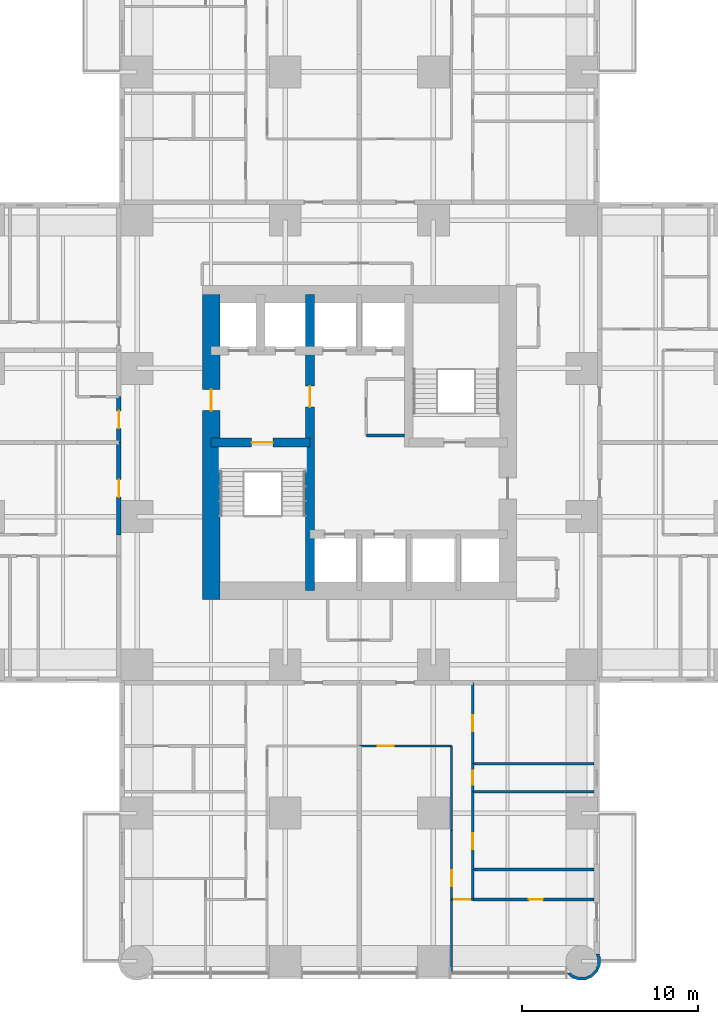
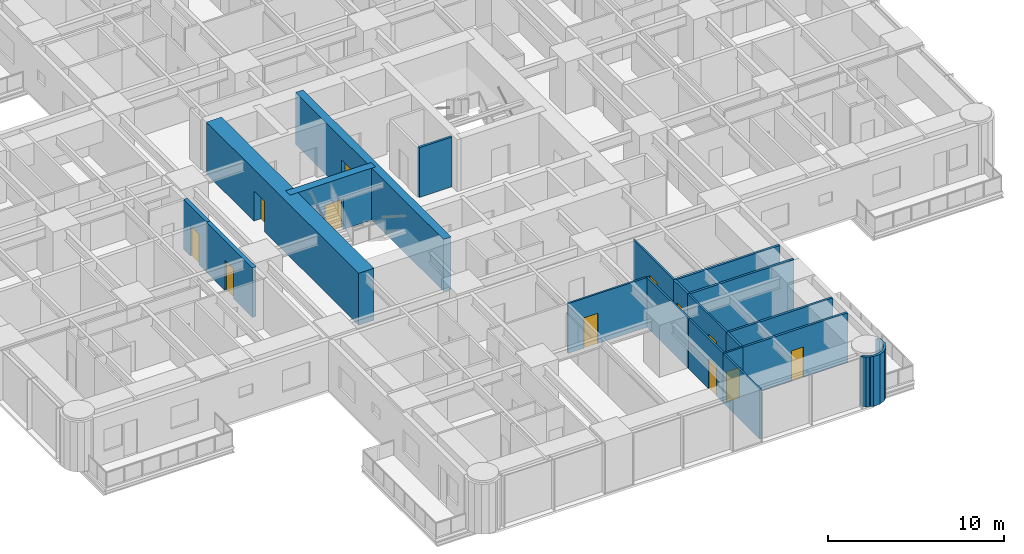
# One storey, part 9 of 17: 20 walls, 12 doors, 12 openings.
"""IFC4 building model written with IfcOpenShell, lengths in metres."""

from ifc_helpers import new_model, si_unit, direction, frame, frame_2d, origin, place, context, subcontext, project, spatial, polyline, rectangle, outline, extrude, material, layer, layer_set, type_object, element, fill, save


model = new_model("IFC4")

# Units and contexts
model_context = context("Model", 3, precision=1e-05, world=origin(), true_north=direction((0.0, 1.0)))
body_context = subcontext(model_context, "Body", "Model", "MODEL_VIEW")
ifc_project = project(units=[si_unit("LENGTHUNIT", "METRE"), si_unit("AREAUNIT", "SQUARE_METRE"), si_unit("VOLUMEUNIT", "CUBIC_METRE"), si_unit("PLANEANGLEUNIT", "RADIAN"), si_unit("MASSUNIT", "GRAM", prefix="KILO")], contexts=[model_context])

# Site, building, storey
site_placement = place(None, origin())
site = spatial("IfcSite", under=ifc_project, at=site_placement, CompositionType="ELEMENT")
building_placement = place(site_placement, origin())
building = spatial("IfcBuilding", under=site, at=building_placement, Name="Torre Alcanfor", CompositionType="ELEMENT")
storey_placement = place(building_placement, frame((0.0, 0.0, 41.699951171875)))
storey = spatial("IfcBuildingStorey", under=building, at=storey_placement, Name="L09", CompositionType="ELEMENT", Elevation=41.699951171875)

# Wall, opening, door
ifc_material_1 = material(Name="Concrete block masonry, hollow blocks NMX-C-404 9 MPa", Category="masonry")
ifc_layer_1 = layer(ifc_material_1, 0.25)
ifc_layer_set_1 = layer_set([ifc_layer_1], Name="Apartment entrance wall 250 EI 60")
wall_type_1 = type_object("IfcWallType", Name="Apartment entrance wall 250 EI 60", PredefinedType="PARTITIONING", material=ifc_layer_set_1)
wall_1_placement = place(storey_placement, frame((15.77490234375, 24.1708984375, 0.0), z_axis=(0.0, 0.0, 1.0), x_axis=(0.0, 1.0, 0.0)))
wall_1 = element("IfcWall", 1, at=wall_1_placement, inside=storey, type_object=wall_type_1, Name="Partition L09-CORR / L09-W1-ZAG", PredefinedType="PARTITIONING", context=body_context, shape_type="SweptSolid", body=[
    extrude(rectangle(XDim=5.22900390625, YDim=0.25, at=frame_2d((2.614501953125, 0.0))), origin(), (0.0, 0.0, 1.0), 3.449951171875),
])
opening_1_placement = place(wall_1_placement, frame((2.12890625, 0.0, 0.0)))
opening_1 = element("IfcOpeningElement", 2, at=opening_1_placement, cuts=wall_1, Name="Opening D-A1", PredefinedType="OPENING", context=body_context, shape_type="SweptSolid", body=[
    extrude(rectangle(XDim=1.0, YDim=2.10009765625, at=frame_2d((0.5, 1.050048828125))), frame((0.0, 0.135009765625, 0.0), z_axis=(0.0, -1.0, 0.0), x_axis=(1.0, 0.0, 0.0)), (0.0, 0.0, 1.0), 0.27001953125),
])
ifc_material_2 = material(Name="Galvanised steel sheet ASTM A653", Category="steel")
door_type_1 = type_object("IfcDoorType", Name="Apartment entrance door FD60 1000x2100", OperationType="SINGLE_SWING_LEFT", PredefinedType="DOOR", material=ifc_material_2)
door_1_placement = place(opening_1_placement, origin())
door_1 = element("IfcDoor", 3, at=door_1_placement, inside=storey, type_object=door_type_1, Name="Apartment entrance L09-W1", OperationType="SINGLE_SWING_RIGHT", OverallHeight=2.10009765625, OverallWidth=1.0, PredefinedType="DOOR", context=body_context, shape_type="SweptSolid", body=[
    extrude(rectangle(XDim=1.0, YDim=2.10009765625, at=frame_2d((0.5, 1.050048828125))), frame((0.0, 0.02490234375, 0.0), z_axis=(0.0, -1.0, 0.0), x_axis=(1.0, 0.0, 0.0)), (0.0, 0.0, 1.0), 0.050048828125),
])
fill(opening_1, door_1)

wall_2_placement = place(storey_placement, frame((15.77490234375, 29.39990234375, 0.0), z_axis=(0.0, 0.0, 1.0), x_axis=(0.0, 1.0, 0.0)))
wall_2 = element("IfcWall", 4, at=wall_2_placement, inside=storey, type_object=wall_type_1, Name="Partition L09-CORR / L09-W2A-FOYER", PredefinedType="PARTITIONING", context=body_context, shape_type="SweptSolid", body=[
    extrude(rectangle(XDim=2.60009765625, YDim=0.25, at=frame_2d((1.300048828125, 0.0))), origin(), (0.0, 0.0, 1.0), 3.449951171875),
])
opening_2_placement = place(wall_2_placement, frame((0.800048828125, 0.0, 0.0)))
opening_2 = element("IfcOpeningElement", 5, at=opening_2_placement, cuts=wall_2, Name="Opening D-A1", PredefinedType="OPENING", context=body_context, shape_type="SweptSolid", body=[
    extrude(rectangle(XDim=1.0, YDim=2.10009765625, at=frame_2d((0.5, 1.050048828125))), frame((0.0, 0.135009765625, 0.0), z_axis=(0.0, -1.0, 0.0), x_axis=(1.0, 0.0, 0.0)), (0.0, 0.0, 1.0), 0.27001953125),
])
door_2_placement = place(opening_2_placement, origin())
door_2 = element("IfcDoor", 6, at=door_2_placement, inside=storey, type_object=door_type_1, Name="Apartment entrance L09-W2A", OperationType="SINGLE_SWING_LEFT", OverallHeight=2.10009765625, OverallWidth=1.0, PredefinedType="DOOR", context=body_context, shape_type="SweptSolid", body=[
    extrude(rectangle(XDim=1.0, YDim=2.10009765625, at=frame_2d((0.5, 1.050048828125))), frame((0.0, 0.02490234375, 0.0), z_axis=(0.0, -1.0, 0.0), x_axis=(1.0, 0.0, 0.0)), (0.0, 0.0, 1.0), 0.050048828125),
])
fill(opening_2, door_2)

ifc_material_3 = material(Name="Gypsum board on steel studs", Category="steel")
ifc_layer_2 = layer(ifc_material_3, 0.1201171875)
ifc_layer_set_2 = layer_set([ifc_layer_2], Name="Apartment partition 120")
wall_type_2 = type_object("IfcWallType", Name="Apartment partition 120", PredefinedType="PARTITIONING", material=ifc_layer_set_2)
wall_3_placement = place(storey_placement, frame((29.39990234375, 12.199951171875, 0.0), z_axis=(0.0, 0.0, 1.0), x_axis=(1.0, 0.0, 0.0)))
wall_3 = element("IfcWall", 7, at=wall_3_placement, inside=storey, type_object=wall_type_2, Name="Partition L09-S1-ZAG / L09-S1-KITCHEN", PredefinedType="PARTITIONING", context=body_context, shape_type="SweptSolid", body=[
    extrude(rectangle(XDim=5.22900390625, YDim=0.1201171875, at=frame_2d((2.614501953125, 0.0))), origin(), (0.0, 0.0, 1.0), 3.449951171875),
])
opening_3_placement = place(wall_3_placement, frame((1.050048828125, 0.0, 0.0)))
opening_3 = element("IfcOpeningElement", 8, at=opening_3_placement, cuts=wall_3, Name="Opening D-R1", PredefinedType="OPENING", context=body_context, shape_type="SweptSolid", body=[
    extrude(rectangle(XDim=0.89990234375, YDim=2.10009765625, at=frame_2d((0.449951171875, 1.050048828125))), frame((0.0, 0.070068359375, 0.0), z_axis=(0.0, -1.0, 0.0), x_axis=(1.0, 0.0, 0.0)), (0.0, 0.0, 1.0), 0.14013671875),
])
ifc_material_4 = material(Name="Timber", Category="wood")
door_type_2 = type_object("IfcDoorType", Name="Internal door 900x2100", OperationType="SINGLE_SWING_LEFT", PredefinedType="DOOR", material=ifc_material_4)
door_3_placement = place(opening_3_placement, frame((0.89990234375, 0.0, 0.0), z_axis=(0.0, 0.0, 1.0), x_axis=(-1.0, 0.0, 0.0)))
door_3 = element("IfcDoor", 9, at=door_3_placement, inside=storey, type_object=door_type_2, Name="Door L09-S1 kitchen", OperationType="SINGLE_SWING_RIGHT", OverallHeight=2.10009765625, OverallWidth=0.89990234375, PredefinedType="DOOR", context=body_context, shape_type="SweptSolid", body=[
    extrude(rectangle(XDim=0.89990234375, YDim=2.10009765625, at=frame_2d((0.449951171875, 1.050048828125))), frame((0.0, 0.025146484375, 0.0), z_axis=(0.0, -1.0, 0.0), x_axis=(1.0, 0.0, 0.0)), (0.0, 0.0, 1.0), 0.050048828125),
])
fill(opening_3, door_3)

# Wall
wall_4_placement = place(storey_placement, frame((34.62890625, 7.39990234375, 0.0), z_axis=(0.0, 0.0, 1.0), x_axis=(0.0, 1.0, 0.0)))
element("IfcWall", 10, at=wall_4_placement, inside=storey, type_object=wall_type_2, Name="Partition L09-S1-KITCHEN / L09-S1-HALL", PredefinedType="PARTITIONING", context=body_context, shape_type="SweptSolid", body=[
    extrude(rectangle(XDim=4.800048828125, YDim=0.1201171875, at=frame_2d((2.39990234375, 0.0))), origin(), (0.0, 0.0, 1.0), 3.449951171875),
])

# Wall, opening, door
wall_5_placement = place(storey_placement, frame((34.62890625, 3.5, 0.0), z_axis=(0.0, 0.0, 1.0), x_axis=(0.0, 1.0, 0.0)))
wall_5 = element("IfcWall", 11, at=wall_5_placement, inside=storey, type_object=wall_type_2, Name="Partition L09-S1-LIVING / L09-S1-HALL", PredefinedType="PARTITIONING", context=body_context, shape_type="SweptSolid", body=[
    extrude(rectangle(XDim=3.89990234375, YDim=0.1201171875, at=frame_2d((1.949951171875, 0.0))), origin(), (0.0, 0.0, 1.0), 3.449951171875),
])
opening_4_placement = place(wall_5_placement, frame((0.75, 0.0, 0.0)))
opening_4 = element("IfcOpeningElement", 12, at=opening_4_placement, cuts=wall_5, Name="Opening D-R1", PredefinedType="OPENING", context=body_context, shape_type="SweptSolid", body=[
    extrude(rectangle(XDim=0.89990234375, YDim=2.10009765625, at=frame_2d((0.449951171875, 1.050048828125))), frame((0.0, 0.070068359375, 0.0), z_axis=(0.0, -1.0, 0.0), x_axis=(1.0, 0.0, 0.0)), (0.0, 0.0, 1.0), 0.14013671875),
])
door_4_placement = place(opening_4_placement, origin())
door_4 = element("IfcDoor", 13, at=door_4_placement, inside=storey, type_object=door_type_2, Name="Door L09-S1 living", OperationType="SINGLE_SWING_RIGHT", OverallHeight=2.10009765625, OverallWidth=0.89990234375, PredefinedType="DOOR", context=body_context, shape_type="SweptSolid", body=[
    extrude(rectangle(XDim=0.89990234375, YDim=2.10009765625, at=frame_2d((0.449951171875, 1.050048828125))), frame((0.0, 0.02490234375, 0.0), z_axis=(0.0, -1.0, 0.0), x_axis=(1.0, 0.0, 0.0)), (0.0, 0.0, 1.0), 0.050048828125),
])
fill(opening_4, door_4)

# Wall
wall_6_placement = place(storey_placement, frame((34.62890625, -0.64990234375, 0.0), z_axis=(0.0, 0.0, 1.0), x_axis=(0.0, 1.0, 0.0)))
element("IfcWall", 14, at=wall_6_placement, inside=storey, type_object=wall_type_2, Name="Partition L09-S1-LIVING / L09-S1-MASTER", PredefinedType="PARTITIONING", context=body_context, shape_type="SweptSolid", body=[
    extrude(rectangle(XDim=4.14990234375, YDim=0.1201171875, at=frame_2d((2.074951171875, 0.0))), origin(), (0.0, 0.0, 1.0), 3.449951171875),
])

# Wall, opening, door
wall_7_placement = place(storey_placement, frame((35.8291015625, 11.199951171875, 0.0), z_axis=(0.0, 0.0, 1.0), x_axis=(0.0, 1.0, 0.0)))
wall_7 = element("IfcWall", 15, at=wall_7_placement, inside=storey, type_object=wall_type_2, Name="Partition L09-S1-HALL / L09-S1-BED3", PredefinedType="PARTITIONING", context=body_context, shape_type="SweptSolid", body=[
    extrude(rectangle(XDim=4.574951171875, YDim=0.1201171875, at=frame_2d((2.28759765625, 0.0))), origin(), (0.0, 0.0, 1.0), 3.449951171875),
])
opening_5_placement = place(wall_7_placement, frame((1.85009765625, 0.0, 0.0)))
opening_5 = element("IfcOpeningElement", 16, at=opening_5_placement, cuts=wall_7, Name="Opening D-R1", PredefinedType="OPENING", context=body_context, shape_type="SweptSolid", body=[
    extrude(rectangle(XDim=0.89990234375, YDim=2.10009765625, at=frame_2d((0.449951171875, 1.050048828125))), frame((0.0, 0.070068359375, 0.0), z_axis=(0.0, -1.0, 0.0), x_axis=(1.0, 0.0, 0.0)), (0.0, 0.0, 1.0), 0.14013671875),
])
door_5_placement = place(opening_5_placement, frame((0.89990234375, 0.0, 0.0), z_axis=(0.0, 0.0, 1.0), x_axis=(-1.0, 0.0, 0.0)))
door_5 = element("IfcDoor", 17, at=door_5_placement, inside=storey, type_object=door_type_2, Name="Door L09-S1 bed3", OperationType="SINGLE_SWING_LEFT", OverallHeight=2.10009765625, OverallWidth=0.89990234375, PredefinedType="DOOR", context=body_context, shape_type="SweptSolid", body=[
    extrude(rectangle(XDim=0.89990234375, YDim=2.10009765625, at=frame_2d((0.449951171875, 1.050048828125))), frame((0.0, 0.025146484375, 0.0), z_axis=(0.0, -1.0, 0.0), x_axis=(1.0, 0.0, 0.0)), (0.0, 0.0, 1.0), 0.050048828125),
])
fill(opening_5, door_5)

wall_8_placement = place(storey_placement, frame((35.8291015625, 5.199951171875, 0.0), z_axis=(0.0, 0.0, 1.0), x_axis=(0.0, 1.0, 0.0)))
wall_8 = element("IfcWall", 18, at=wall_8_placement, inside=storey, type_object=wall_type_2, Name="Partition L09-S1-HALL / L09-S1-BED2", PredefinedType="PARTITIONING", context=body_context, shape_type="SweptSolid", body=[
    extrude(rectangle(XDim=4.400146484375, YDim=0.1201171875, at=frame_2d((2.2001953125, 0.0))), origin(), (0.0, 0.0, 1.0), 3.449951171875),
])
opening_6_placement = place(wall_8_placement, frame((1.14990234375, 0.0, 0.0)))
opening_6 = element("IfcOpeningElement", 19, at=opening_6_placement, cuts=wall_8, Name="Opening D-R1", PredefinedType="OPENING", context=body_context, shape_type="SweptSolid", body=[
    extrude(rectangle(XDim=0.89990234375, YDim=2.10009765625, at=frame_2d((0.449951171875, 1.050048828125))), frame((0.0, 0.070068359375, 0.0), z_axis=(0.0, -1.0, 0.0), x_axis=(1.0, 0.0, 0.0)), (0.0, 0.0, 1.0), 0.14013671875),
])
door_6_placement = place(opening_6_placement, frame((0.89990234375, 0.0, 0.0), z_axis=(0.0, 0.0, 1.0), x_axis=(-1.0, 0.0, 0.0)))
door_6 = element("IfcDoor", 20, at=door_6_placement, inside=storey, type_object=door_type_2, Name="Door L09-S1 bed2", OperationType="SINGLE_SWING_RIGHT", OverallHeight=2.10009765625, OverallWidth=0.89990234375, PredefinedType="DOOR", context=body_context, shape_type="SweptSolid", body=[
    extrude(rectangle(XDim=0.89990234375, YDim=2.10009765625, at=frame_2d((0.449951171875, 1.050048828125))), frame((0.0, 0.025146484375, 0.0), z_axis=(0.0, -1.0, 0.0), x_axis=(1.0, 0.0, 0.0)), (0.0, 0.0, 1.0), 0.050048828125),
])
fill(opening_6, door_6)

wall_9_placement = place(storey_placement, frame((34.62890625, 3.5, 0.0), z_axis=(0.0, 0.0, 1.0), x_axis=(1.0, 0.0, 0.0)))
wall_9 = element("IfcWall", 21, at=wall_9_placement, inside=storey, type_object=wall_type_2, Name="Partition L09-S1-HALL / L09-S1-MASTER", PredefinedType="PARTITIONING", context=body_context, shape_type="SweptSolid", body=[
    extrude(rectangle(XDim=1.2001953125, YDim=0.1201171875, at=frame_2d((0.60009765625, 0.0))), origin(), (0.0, 0.0, 1.0), 3.449951171875),
])
opening_7_placement = place(wall_9_placement, frame((0.15087890625, 0.0, 0.0)))
opening_7 = element("IfcOpeningElement", 22, at=opening_7_placement, cuts=wall_9, Name="Opening D-R1", PredefinedType="OPENING", context=body_context, shape_type="SweptSolid", body=[
    extrude(rectangle(XDim=0.89990234375, YDim=2.10009765625, at=frame_2d((0.449951171875, 1.050048828125))), frame((0.0, 0.070068359375, 0.0), z_axis=(0.0, -1.0, 0.0), x_axis=(1.0, 0.0, 0.0)), (0.0, 0.0, 1.0), 0.14013671875),
])
door_7_placement = place(opening_7_placement, frame((0.89990234375, 0.0, 0.0), z_axis=(0.0, 0.0, 1.0), x_axis=(-1.0, 0.0, 0.0)))
door_7 = element("IfcDoor", 23, at=door_7_placement, inside=storey, type_object=door_type_2, Name="Door L09-S1 master", OperationType="SINGLE_SWING_RIGHT", OverallHeight=2.10009765625, OverallWidth=0.89990234375, PredefinedType="DOOR", context=body_context, shape_type="SweptSolid", body=[
    extrude(rectangle(XDim=0.89990234375, YDim=2.10009765625, at=frame_2d((0.449951171875, 1.050048828125))), frame((0.0, 0.025146484375, 0.0), z_axis=(0.0, -1.0, 0.0), x_axis=(1.0, 0.0, 0.0)), (0.0, 0.0, 1.0), 0.050048828125),
])
fill(opening_7, door_7)

ifc_material_5 = material(Name="Concrete f'c 70 MPa", Category="concrete")
ifc_layer_3 = layer(ifc_material_5, 0.5)
ifc_layer_set_3 = layer_set([ifc_layer_3], Name="Core inner wall 500 f'c70")
wall_type_3 = type_object("IfcWallType", Name="Core inner wall 500 f'c70", PredefinedType="SHEAR", material=ifc_layer_set_3)
wall_10_placement = place(storey_placement, frame((26.60009765625, 21.0, 0.0), z_axis=(0.0, 0.0, 1.0), x_axis=(0.0, 1.0, 0.0)))
wall_10 = element("IfcWall", 24, at=wall_10_placement, inside=storey, type_object=wall_type_3, Name="Core wall X266 L09", PredefinedType="SHEAR", context=body_context, shape_type="SweptSolid", body=[
    extrude(rectangle(XDim=16.800048828125, YDim=0.5, at=frame_2d((8.39990234375, 0.0))), origin(), (0.0, 0.0, 1.0), 3.60009765625),
])
opening_8_placement = place(wall_10_placement, frame((10.39990234375, 0.0, 0.0)))
opening_8 = element("IfcOpeningElement", 25, at=opening_8_placement, cuts=wall_10, Name="Opening D-L1", PredefinedType="OPENING", context=body_context, shape_type="SweptSolid", body=[
    extrude(rectangle(XDim=1.199951171875, YDim=2.10009765625, at=frame_2d((0.60009765625, 1.050048828125))), frame((0.0, 0.260009765625, 0.0), z_axis=(0.0, -1.0, 0.0), x_axis=(1.0, 0.0, 0.0)), (0.0, 0.0, 1.0), 0.52001953125),
])
ifc_material_6 = material(Name="Galvanised steel sheet ASTM A653", Category="steel")
door_type_3 = type_object("IfcDoorType", Name="Lobby door FD120 1200x2100", OperationType="SINGLE_SWING_LEFT", PredefinedType="DOOR", material=ifc_material_6)
door_8_placement = place(opening_8_placement, origin())
door_8 = element("IfcDoor", 26, at=door_8_placement, inside=storey, type_object=door_type_3, Name="Lift lobby door L09", OperationType="SINGLE_SWING_LEFT", OverallHeight=2.10009765625, OverallWidth=1.199951171875, PredefinedType="DOOR", context=body_context, shape_type="SweptSolid", body=[
    extrude(rectangle(XDim=1.199951171875, YDim=2.10009765625, at=frame_2d((0.60009765625, 1.050048828125))), frame((0.0, 0.02490234375, 0.0), z_axis=(0.0, -1.0, 0.0), x_axis=(1.0, 0.0, 0.0)), (0.0, 0.0, 1.0), 0.050048828125),
])
fill(opening_8, door_8)

wall_11_placement = place(storey_placement, frame((21.0, 29.39990234375, 0.0), z_axis=(0.0, 0.0, 1.0), x_axis=(1.0, 0.0, 0.0)))
wall_11 = element("IfcWall", 27, at=wall_11_placement, inside=storey, type_object=wall_type_3, Name="Core wall Y294W L09", PredefinedType="SHEAR", context=body_context, shape_type="SweptSolid", body=[
    extrude(rectangle(XDim=5.60009765625, YDim=0.5, at=frame_2d((2.800048828125, 0.0))), origin(), (0.0, 0.0, 1.0), 3.60009765625),
])
opening_9_placement = place(wall_11_placement, frame((2.300048828125, 0.0, 0.0)))
opening_9 = element("IfcOpeningElement", 28, at=opening_9_placement, cuts=wall_11, Name="Opening D-S2", PredefinedType="OPENING", context=body_context, shape_type="SweptSolid", body=[
    extrude(rectangle(XDim=1.199951171875, YDim=2.10009765625, at=frame_2d((0.60009765625, 1.050048828125))), frame((0.0, 0.260009765625, 0.0), z_axis=(0.0, -1.0, 0.0), x_axis=(1.0, 0.0, 0.0)), (0.0, 0.0, 1.0), 0.52001953125),
])
ifc_material_7 = material(Name="Galvanised steel sheet ASTM A653", Category="steel")
door_type_4 = type_object("IfcDoorType", Name="Stair enclosure door FD120 1200x2100", OperationType="SINGLE_SWING_LEFT", PredefinedType="DOOR", material=ifc_material_7)
door_9_placement = place(opening_9_placement, frame((1.199951171875, 0.0, 0.0), z_axis=(0.0, 0.0, 1.0), x_axis=(-1.0, 0.0, 0.0)))
door_9 = element("IfcDoor", 29, at=door_9_placement, inside=storey, type_object=door_type_4, Name="Stair S1 door L09", OperationType="SINGLE_SWING_LEFT", OverallHeight=2.10009765625, OverallWidth=1.199951171875, PredefinedType="DOOR", context=body_context, shape_type="SweptSolid", body=[
    extrude(rectangle(XDim=1.199951171875, YDim=2.10009765625, at=frame_2d((0.599853515625, 1.050048828125))), frame((0.0, 0.025146484375, 0.0), z_axis=(0.0, -1.0, 0.0), x_axis=(1.0, 0.0, 0.0)), (0.0, 0.0, 1.0), 0.050048828125),
])
fill(opening_9, door_9)

ifc_material_8 = material(Name="Concrete f'c 70 MPa", Category="concrete")
ifc_layer_4 = layer(ifc_material_8, 1.0)
ifc_layer_set_4 = layer_set([ifc_layer_4], Name="Core wall 1000 f'c70")
wall_type_4 = type_object("IfcWallType", Name="Core wall 1000 f'c70", PredefinedType="SHEAR", material=ifc_layer_set_4)
wall_12_placement = place(storey_placement, frame((21.0, 37.800048828125, 0.0), z_axis=(0.0, 0.0, 1.0), x_axis=(0.0, -1.0, 0.0)))
wall_12 = element("IfcWall", 30, at=wall_12_placement, inside=storey, type_object=wall_type_4, Name="Core wall OUT-W L09", PredefinedType="SHEAR", context=body_context, shape_type="SweptSolid", body=[
    extrude(rectangle(XDim=17.300048828125, YDim=1.0, at=frame_2d((8.64990234375, 0.0))), origin(), (0.0, 0.0, 1.0), 3.60009765625),
])
opening_10_placement = place(wall_12_placement, frame((5.39990234375, 0.0, 0.0)))
opening_10 = element("IfcOpeningElement", 31, at=opening_10_placement, cuts=wall_12, Name="Opening D-L1", PredefinedType="OPENING", context=body_context, shape_type="SweptSolid", body=[
    extrude(rectangle(XDim=1.199951171875, YDim=2.10009765625, at=frame_2d((0.60009765625, 1.050048828125))), frame((0.0, 0.510009765625, 0.0), z_axis=(0.0, -1.0, 0.0), x_axis=(1.0, 0.0, 0.0)), (0.0, 0.0, 1.0), 1.02001953125),
])
door_10_placement = place(opening_10_placement, origin())
door_10 = element("IfcDoor", 32, at=door_10_placement, inside=storey, type_object=door_type_3, Name="Firefighting lobby door L09", OperationType="SINGLE_SWING_LEFT", OverallHeight=2.10009765625, OverallWidth=1.199951171875, PredefinedType="DOOR", context=body_context, shape_type="SweptSolid", body=[
    extrude(rectangle(XDim=1.199951171875, YDim=2.10009765625, at=frame_2d((0.60009765625, 1.050048828125))), frame((0.0, 0.02490234375, 0.0), z_axis=(0.0, -1.0, 0.0), x_axis=(1.0, 0.0, 0.0)), (0.0, 0.0, 1.0), 0.050048828125),
])
fill(opening_10, door_10)

# Walls
ifc_material_9 = material(Name="Concrete block masonry, hollow blocks NMX-C-404 9 MPa", Category="masonry")
ifc_layer_5 = layer(ifc_material_9, 0.14990234375)
ifc_layer_set_5 = layer_set([ifc_layer_5], Name="Residents' room partition 150")
wall_type_5 = type_object("IfcWallType", Name="Residents' room partition 150", PredefinedType="PARTITIONING", material=ifc_layer_set_5)
wall_13_placement = place(storey_placement, frame((31.949951171875, 29.800048828125, 0.0), z_axis=(0.0, 0.0, 1.0), x_axis=(-1.0, 0.0, 0.0)))
element("IfcWall", 33, at=wall_13_placement, inside=storey, type_object=wall_type_5, Name="Partition L09-LL / L09-CR1", PredefinedType="PARTITIONING", context=body_context, shape_type="SweptSolid", body=[
    extrude(rectangle(XDim=2.14990234375, YDim=0.14990234375, at=frame_2d((1.074951171875, 0.0))), origin(), (0.0, 0.0, 1.0), 3.449951171875),
])
ifc_material_10 = material(Name="Limestone cladding", Category="masonry")
ifc_layer_6 = layer(ifc_material_10, 0.0400390625, Name="Facing")
ifc_material_11 = material(Name="Ventilated air cavity")
ifc_layer_7 = layer(ifc_material_11, 0.02001953125, ventilated=True, Name="Ventilated joint")
ifc_material_12 = material(Name="Mineral wool insulation", Category="insulation")
ifc_layer_8 = layer(ifc_material_12, 0.10009765625, Name="Insulation")
ifc_material_13 = material(Name="Concrete f'c 35 MPa", Category="concrete")
ifc_layer_9 = layer(ifc_material_13, 0.139892578125, Name="Backing")
ifc_layer_set_6 = layer_set([ifc_layer_6, ifc_layer_7, ifc_layer_8, ifc_layer_9], Name="Rounded corner pier stone-clad 300")
wall_type_6 = type_object("IfcWallType", Name="Rounded corner pier stone-clad 300", PredefinedType="SOLIDWALL", material=ifc_layer_set_6)
wall_14_placement = place(storey_placement, frame((41.23340608, -0.610519256, 0.0), z_axis=(0.0, 0.0, 1.0), x_axis=(0.377204953059, -0.926129809145, 0.0)))
element("IfcWall", 34, at=wall_14_placement, inside=storey, type_object=wall_type_6, Name="Corner pier L09 16", PredefinedType="SOLIDWALL", context=body_context, shape_type="SweptSolid", body=[
    extrude(outline(polyline([(0.31873169437185855, 1.8425336525024494), (-0.07152710704046505, 2.001482809968314), (-0.24009471588869835, 2.0005449414227563), (-0.26941358666453996, 2.017231322070639), (-0.37003424962124987, 1.840731870737274), (-0.10240281114565264, 1.842182010528029), (0.22952066537421467, 1.7069923447343507), (0.48468330510664415, 1.4551793700683648), (0.6237907271323827, 1.1248909220292227), (0.6256685839754508, 0.7664021208386822), (0.49047891818177247, 0.4344786443188148), (0.23866594351578668, 0.1793160045863853), (0.09016005264750862, 0.11695717207098313), (0.01086965602056237, -0.07772001681430692), (0.024436010646714988, -0.08324547999388505), (0.3295868985749782, 0.04527476829386376), (0.48015223740573765, 0.19747796194128653), (0.49902760591309464, 0.19268993376963664), (0.5075741737852856, 0.2253240824532252), (0.6260202259498713, 0.3452676153211709), (0.7849693834157356, 0.7355264167334946), (0.7824906971943995, 1.1572636358175066), (0.6187245413991658, 1.5461003251275562), (0.31873169437185855, 1.8425336525024494)])), origin(), (0.0, 0.0, 1.0), 3.449951171875),
])

# Wall, opening, door
ifc_material_14 = material(Name="Cement board on steel studs", Category="steel")
ifc_layer_10 = layer(ifc_material_14, 0.14990234375)
ifc_layer_set_7 = layer_set([ifc_layer_10], Name="Wet area partition 150")
wall_type_7 = type_object("IfcWallType", Name="Wet area partition 150", PredefinedType="PARTITIONING", material=ifc_layer_set_7)
wall_15_placement = place(storey_placement, frame((35.8291015625, 9.60009765625, 0.0), z_axis=(0.0, 0.0, 1.0), x_axis=(0.0, 1.0, 0.0)))
wall_15 = element("IfcWall", 35, at=wall_15_placement, inside=storey, type_object=wall_type_7, Name="Partition L09-S1-HALL / L09-S1-BATH1", PredefinedType="PARTITIONING", context=body_context, shape_type="SweptSolid", body=[
    extrude(rectangle(XDim=1.599853515625, YDim=0.14990234375, at=frame_2d((0.7998046875, 0.0))), origin(), (0.0, 0.0, 1.0), 3.449951171875),
])
opening_11_placement = place(wall_15_placement, frame((0.39990234375, 0.0, 0.0)))
opening_11 = element("IfcOpeningElement", 36, at=opening_11_placement, cuts=wall_15, Name="Opening D-R2", PredefinedType="OPENING", context=body_context, shape_type="SweptSolid", body=[
    extrude(rectangle(XDim=0.800048828125, YDim=2.10009765625, at=frame_2d((0.39990234375, 1.050048828125))), frame((0.0, 0.0849609375, 0.0), z_axis=(0.0, -1.0, 0.0), x_axis=(1.0, 0.0, 0.0)), (0.0, 0.0, 1.0), 0.169921875),
])
ifc_material_15 = material(Name="Timber", Category="wood")
door_type_5 = type_object("IfcDoorType", Name="Bathroom door 800x2100", OperationType="SINGLE_SWING_LEFT", PredefinedType="DOOR", material=ifc_material_15)
door_11_placement = place(opening_11_placement, frame((0.800048828125, 0.0, 0.0), z_axis=(0.0, 0.0, 1.0), x_axis=(-1.0, 0.0, 0.0)))
door_11 = element("IfcDoor", 37, at=door_11_placement, inside=storey, type_object=door_type_5, Name="Door L09-S1 bath1", OperationType="SINGLE_SWING_RIGHT", OverallHeight=2.10009765625, OverallWidth=0.800048828125, PredefinedType="DOOR", context=body_context, shape_type="SweptSolid", body=[
    extrude(rectangle(XDim=0.800048828125, YDim=2.10009765625, at=frame_2d((0.400146484375, 1.050048828125))), frame((0.0, 0.025146484375, 0.0), z_axis=(0.0, -1.0, 0.0), x_axis=(1.0, 0.0, 0.0)), (0.0, 0.0, 1.0), 0.050048828125),
])
fill(opening_11, door_11)

# Walls
wall_16_placement = place(storey_placement, frame((35.8291015625, 3.5, 0.0), z_axis=(0.0, 0.0, 1.0), x_axis=(0.0, 1.0, 0.0)))
element("IfcWall", 38, at=wall_16_placement, inside=storey, type_object=wall_type_7, Name="Partition L09-S1-HALL / L09-S1-ENSBATH", PredefinedType="PARTITIONING", context=body_context, shape_type="SweptSolid", body=[
    extrude(rectangle(XDim=1.699951171875, YDim=0.14990234375, at=frame_2d((0.85009765625, 0.0))), origin(), (0.0, 0.0, 1.0), 3.449951171875),
])
for number, where, z_axis, x_axis, name in (
    (39, (35.8291015625, 11.199951171875, 0.0), (0.0, 0.0, 1.0), (1.0, 0.0, 0.0), "Partition L09-S1-BED3 / L09-S1-BATH1"),
    (40, (35.8291015625, 9.60009765625, 0.0), (0.0, 0.0, 1.0), (1.0, 0.0, 0.0), "Partition L09-S1-BATH1 / L09-S1-BED2"),
    (41, (35.8291015625, 5.199951171875, 0.0), (0.0, 0.0, 1.0), (1.0, 0.0, 0.0), "Partition L09-S1-BED2 / L09-S1-ENSBATH"),
):
    element("IfcWall", number, at=place(storey_placement, frame(where, z_axis=z_axis, x_axis=x_axis)), inside=storey, type_object=wall_type_7, Name=name, PredefinedType="PARTITIONING", context=body_context, shape_type="SweptSolid", body=[
        extrude(rectangle(XDim=6.870849609375, YDim=0.14990234375, at=frame_2d((3.435546875, 0.0))), origin(), (0.0, 0.0, 1.0), 3.449951171875),
    ])

# Wall, opening, door
wall_17_placement = place(storey_placement, frame((35.8291015625, 3.5, 0.0), z_axis=(0.0, 0.0, 1.0), x_axis=(1.0, 0.0, 0.0)))
wall_17 = element("IfcWall", 42, at=wall_17_placement, inside=storey, type_object=wall_type_7, Name="Partition L09-S1-ENSBATH / L09-S1-MASTER", PredefinedType="PARTITIONING", context=body_context, shape_type="SweptSolid", body=[
    extrude(rectangle(XDim=6.870849609375, YDim=0.14990234375, at=frame_2d((3.435546875, 0.0))), origin(), (0.0, 0.0, 1.0), 3.449951171875),
])
opening_12_placement = place(wall_17_placement, frame((3.1708984375, 0.0, 0.0)))
opening_12 = element("IfcOpeningElement", 43, at=opening_12_placement, cuts=wall_17, Name="Opening D-R2", PredefinedType="OPENING", context=body_context, shape_type="SweptSolid", body=[
    extrude(rectangle(XDim=0.800048828125, YDim=2.10009765625, at=frame_2d((0.39990234375, 1.050048828125))), frame((0.0, 0.0849609375, 0.0), z_axis=(0.0, -1.0, 0.0), x_axis=(1.0, 0.0, 0.0)), (0.0, 0.0, 1.0), 0.169921875),
])
door_12_placement = place(opening_12_placement, origin())
door_12 = element("IfcDoor", 44, at=door_12_placement, inside=storey, type_object=door_type_5, Name="Door L09-S1 ensbath", OperationType="SINGLE_SWING_RIGHT", OverallHeight=2.10009765625, OverallWidth=0.800048828125, PredefinedType="DOOR", context=body_context, shape_type="SweptSolid", body=[
    extrude(rectangle(XDim=0.800048828125, YDim=2.10009765625, at=frame_2d((0.39990234375, 1.050048828125))), frame((0.0, 0.02490234375, 0.0), z_axis=(0.0, -1.0, 0.0), x_axis=(1.0, 0.0, 0.0)), (0.0, 0.0, 1.0), 0.050048828125),
])
fill(opening_12, door_12)

save(model, "model.ifc")
